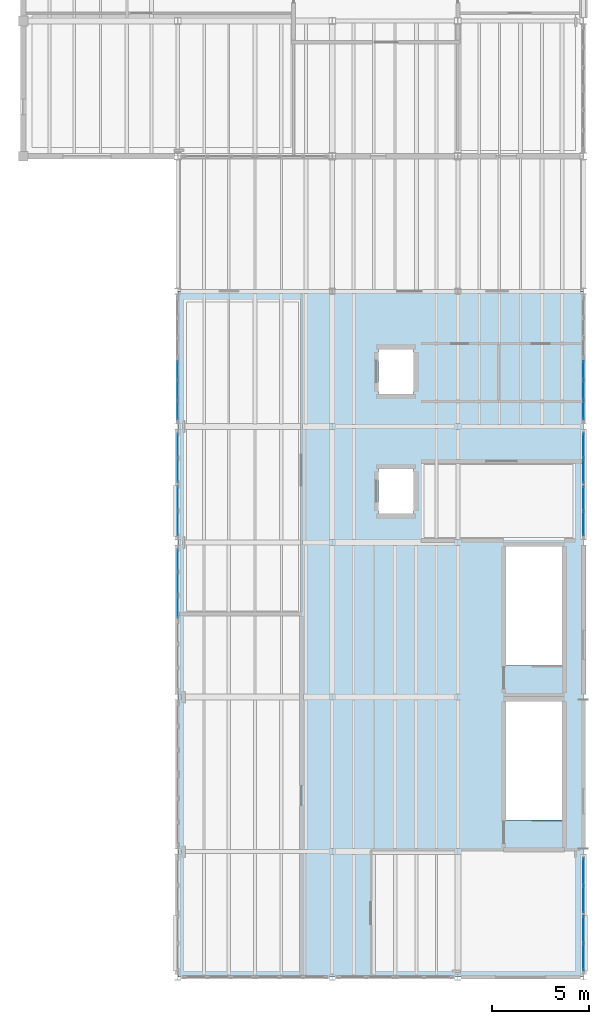
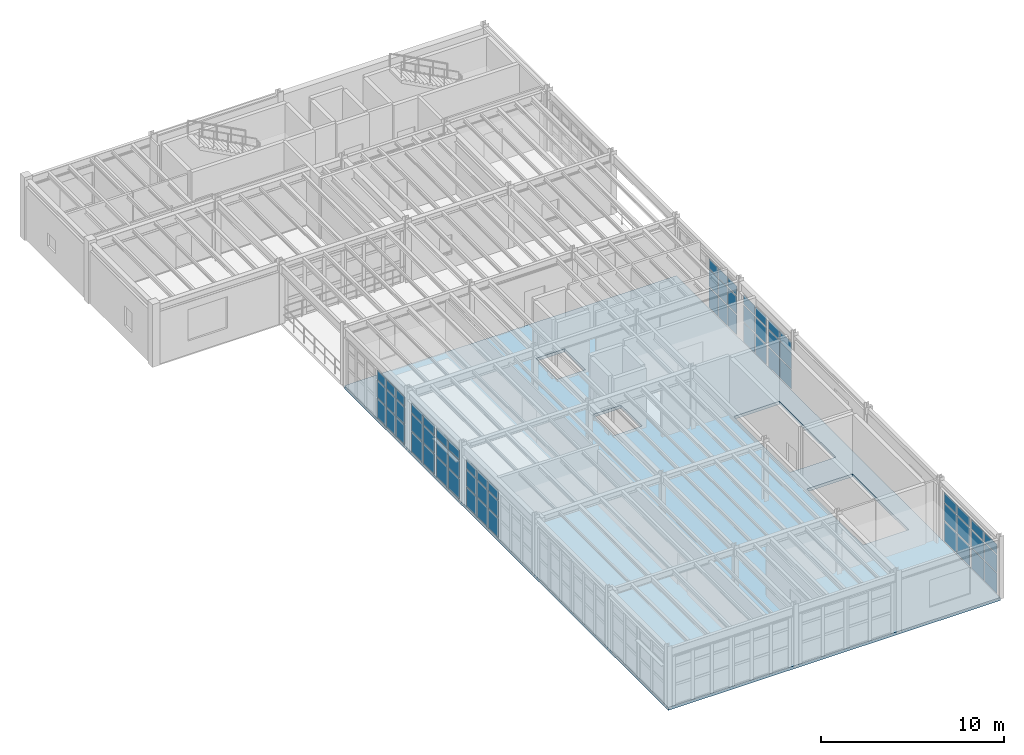
# One storey, part 20 of 27: 63 plates, 1 slab, 9 elements without a shape of their own.
"""IFC4 building model written with IfcOpenShell, lengths in metres."""

from ifc_helpers import new_model, si_unit, direction, frame, origin, origin_2d, place, context, subcontext, project, spatial, polyline, rectangle, outline, extrude, material, layer, layer_set, type_object, element, aggregate, save


model = new_model("IFC4")

# Units and contexts
model_context = context("Model", 3, precision=1e-05, world=origin(), true_north=direction((0.0, 1.0)))
body_context = subcontext(model_context, "Body", "Model", "MODEL_VIEW")
ifc_project = project(units=[si_unit("LENGTHUNIT", "METRE"), si_unit("AREAUNIT", "SQUARE_METRE"), si_unit("VOLUMEUNIT", "CUBIC_METRE"), si_unit("PLANEANGLEUNIT", "RADIAN"), si_unit("MASSUNIT", "GRAM", prefix="KILO"), si_unit("THERMODYNAMICTEMPERATUREUNIT", "KELVIN"), si_unit("POWERUNIT", "WATT")], contexts=[model_context])

# Site, building, storey
site_placement = place(None, origin())
site = spatial("IfcSite", under=ifc_project, at=site_placement, CompositionType="ELEMENT")
building_placement = place(site_placement, origin())
building = spatial("IfcBuilding", under=site, at=building_placement, Name="Zhenchuan Central Fire Station", CompositionType="ELEMENT")
storey_placement = place(building_placement, frame((0.0, 0.0, 14.25)))
storey = spatial("IfcBuildingStorey", under=building, at=storey_placement, Name="L04", CompositionType="ELEMENT", Elevation=14.25)

# Curtain wall, plates
ifc_material_1 = material(Name="Anodised aluminium and low-E glazing", Category="aluminium")
curtain_wall_type_1 = type_object("IfcCurtainWallType", Name="CW-MOD-04", PredefinedType="USERDEFINED", material=ifc_material_1)
curtain_wall_1_placement = place(storey_placement, origin())
curtain_wall_1 = element("IfcCurtainWall", 1, at=curtain_wall_1_placement, inside=storey, type_object=curtain_wall_type_1, Name="L04 Unitised Curtain Wall 126", ObjectType="UNITISED GLAZING", PredefinedType="USERDEFINED")
ifc_material_2 = material(Name="Laminated low-E double glazing", Category="glass")
ifc_layer_1 = layer(ifc_material_2, 0.011962890625, Name="Laminated low-E double glazing", Category="glass")
ifc_layer_set_1 = layer_set([ifc_layer_1], Name="Laminated low-E double glazing")
plate_type = type_object("IfcPlateType", Name="CW-PNL12", PredefinedType="CURTAIN_PANEL", material=ifc_layer_set_1)
plate_1_placement = place(storey_placement, frame((161.0, 1.044189453125, 0.06103515625), z_axis=(0.0, 0.0, 1.0), x_axis=(0.0, 1.0, 0.0)))
plate_1 = element("IfcPlate", 2, at=plate_1_placement, type_object=plate_type, Name="CW-04 panel 1.1", PredefinedType="CURTAIN_PANEL", context=body_context, shape_type="SweptSolid", body=[
    extrude(rectangle(XDim=1.3583984375, YDim=0.011962890625, at=origin_2d()), origin(), (0.0, 0.0, 1.0), 1.33447265625),
])
plate_2_placement = place(storey_placement, frame((161.0, 1.044189453125, 1.46044921875), z_axis=(0.0, 0.0, 1.0), x_axis=(0.0, 1.0, 0.0)))
plate_2 = element("IfcPlate", 3, at=plate_2_placement, type_object=plate_type, Name="CW-04 panel 1.2", PredefinedType="CURTAIN_PANEL", context=body_context, shape_type="SweptSolid", body=[
    extrude(rectangle(XDim=1.3583984375, YDim=0.011962890625, at=origin_2d()), origin(), (0.0, 0.0, 1.0), 1.158935546875),
])
plate_3_placement = place(storey_placement, frame((161.0, 1.044189453125, 2.6845703125), z_axis=(0.0, 0.0, 1.0), x_axis=(0.0, 1.0, 0.0)))
plate_3 = element("IfcPlate", 4, at=plate_3_placement, type_object=plate_type, Name="CW-04 panel 1.3", PredefinedType="CURTAIN_PANEL", context=body_context, shape_type="SweptSolid", body=[
    extrude(rectangle(XDim=1.3583984375, YDim=0.011962890625, at=origin_2d()), origin(), (0.0, 0.0, 1.0), 0.650390625),
])
plate_4_placement = place(storey_placement, frame((161.0, 2.4677734375, 0.06103515625), z_axis=(0.0, 0.0, 1.0), x_axis=(0.0, 1.0, 0.0)))
plate_4 = element("IfcPlate", 5, at=plate_4_placement, type_object=plate_type, Name="CW-04 panel 2.1", PredefinedType="CURTAIN_PANEL", context=body_context, shape_type="SweptSolid", body=[
    extrude(rectangle(XDim=1.3583984375, YDim=0.011962890625, at=origin_2d()), origin(), (0.0, 0.0, 1.0), 1.33447265625),
])
plate_5_placement = place(storey_placement, frame((161.0, 2.4677734375, 1.46044921875), z_axis=(0.0, 0.0, 1.0), x_axis=(0.0, 1.0, 0.0)))
plate_5 = element("IfcPlate", 6, at=plate_5_placement, type_object=plate_type, Name="CW-04 panel 2.2", PredefinedType="CURTAIN_PANEL", context=body_context, shape_type="SweptSolid", body=[
    extrude(rectangle(XDim=1.3583984375, YDim=0.011962890625, at=origin_2d()), origin(), (0.0, 0.0, 1.0), 1.158935546875),
])
plate_6_placement = place(storey_placement, frame((161.0, 2.4677734375, 2.6845703125), z_axis=(0.0, 0.0, 1.0), x_axis=(0.0, 1.0, 0.0)))
plate_6 = element("IfcPlate", 7, at=plate_6_placement, type_object=plate_type, Name="CW-04 panel 2.3", PredefinedType="CURTAIN_PANEL", context=body_context, shape_type="SweptSolid", body=[
    extrude(rectangle(XDim=1.3583984375, YDim=0.011962890625, at=origin_2d()), origin(), (0.0, 0.0, 1.0), 0.650390625),
])
aggregate(curtain_wall_1, [plate_1, plate_2, plate_3, plate_4, plate_5, plate_6])

curtain_wall_type_2 = type_object("IfcCurtainWallType", Name="CW-MOD-05", PredefinedType="USERDEFINED", material=ifc_material_1)
curtain_wall_2_placement = place(storey_placement, origin())
curtain_wall_2 = element("IfcCurtainWall", 8, at=curtain_wall_2_placement, inside=storey, type_object=curtain_wall_type_2, Name="L04 Unitised Curtain Wall 127", ObjectType="UNITISED GLAZING", PredefinedType="USERDEFINED")
plate_7_placement = place(storey_placement, frame((161.0, 4.0322265625, 0.06103515625), z_axis=(0.0, 0.0, 1.0), x_axis=(0.0, 1.0, 0.0)))
plate_7 = element("IfcPlate", 9, at=plate_7_placement, type_object=plate_type, Name="CW-05 panel 1.1", PredefinedType="CURTAIN_PANEL", context=body_context, shape_type="SweptSolid", body=[
    extrude(rectangle(XDim=1.3583984375, YDim=0.011962890625, at=origin_2d()), origin(), (0.0, 0.0, 1.0), 1.33447265625),
])
plate_8_placement = place(storey_placement, frame((161.0, 4.0322265625, 1.46044921875), z_axis=(0.0, 0.0, 1.0), x_axis=(0.0, 1.0, 0.0)))
plate_8 = element("IfcPlate", 10, at=plate_8_placement, type_object=plate_type, Name="CW-05 panel 1.2", PredefinedType="CURTAIN_PANEL", context=body_context, shape_type="SweptSolid", body=[
    extrude(rectangle(XDim=1.3583984375, YDim=0.011962890625, at=origin_2d()), origin(), (0.0, 0.0, 1.0), 1.158935546875),
])
plate_9_placement = place(storey_placement, frame((161.0, 4.0322265625, 2.6845703125), z_axis=(0.0, 0.0, 1.0), x_axis=(0.0, 1.0, 0.0)))
plate_9 = element("IfcPlate", 11, at=plate_9_placement, type_object=plate_type, Name="CW-05 panel 1.3", PredefinedType="CURTAIN_PANEL", context=body_context, shape_type="SweptSolid", body=[
    extrude(rectangle(XDim=1.3583984375, YDim=0.011962890625, at=origin_2d()), origin(), (0.0, 0.0, 1.0), 0.650390625),
])
plate_10_placement = place(storey_placement, frame((161.0, 5.455810546875, 0.06103515625), z_axis=(0.0, 0.0, 1.0), x_axis=(0.0, 1.0, 0.0)))
plate_10 = element("IfcPlate", 12, at=plate_10_placement, type_object=plate_type, Name="CW-05 panel 2.1", PredefinedType="CURTAIN_PANEL", context=body_context, shape_type="SweptSolid", body=[
    extrude(rectangle(XDim=1.3583984375, YDim=0.011962890625, at=origin_2d()), origin(), (0.0, 0.0, 1.0), 1.33447265625),
])
plate_11_placement = place(storey_placement, frame((161.0, 5.455810546875, 1.46044921875), z_axis=(0.0, 0.0, 1.0), x_axis=(0.0, 1.0, 0.0)))
plate_11 = element("IfcPlate", 13, at=plate_11_placement, type_object=plate_type, Name="CW-05 panel 2.2", PredefinedType="CURTAIN_PANEL", context=body_context, shape_type="SweptSolid", body=[
    extrude(rectangle(XDim=1.3583984375, YDim=0.011962890625, at=origin_2d()), origin(), (0.0, 0.0, 1.0), 1.158935546875),
])
plate_12_placement = place(storey_placement, frame((161.0, 5.455810546875, 2.6845703125), z_axis=(0.0, 0.0, 1.0), x_axis=(0.0, 1.0, 0.0)))
plate_12 = element("IfcPlate", 14, at=plate_12_placement, type_object=plate_type, Name="CW-05 panel 2.3", PredefinedType="CURTAIN_PANEL", context=body_context, shape_type="SweptSolid", body=[
    extrude(rectangle(XDim=1.3583984375, YDim=0.011962890625, at=origin_2d()), origin(), (0.0, 0.0, 1.0), 0.650390625),
])
aggregate(curtain_wall_2, [plate_7, plate_8, plate_9, plate_10, plate_11, plate_12])

curtain_wall_type_3 = type_object("IfcCurtainWallType", Name="CW-MOD-10", PredefinedType="USERDEFINED", material=ifc_material_1)
curtain_wall_3_placement = place(storey_placement, origin())
curtain_wall_3 = element("IfcCurtainWall", 15, at=curtain_wall_3_placement, inside=storey, type_object=curtain_wall_type_3, Name="L04 Unitised Curtain Wall 128", ObjectType="UNITISED GLAZING", PredefinedType="USERDEFINED")
plate_13_placement = place(storey_placement, frame((161.0, 23.481689453125, 0.06103515625), z_axis=(0.0, 0.0, 1.0), x_axis=(0.0, 1.0, 0.0)))
plate_13 = element("IfcPlate", 16, at=plate_13_placement, type_object=plate_type, Name="CW-10 panel 1.1", PredefinedType="CURTAIN_PANEL", context=body_context, shape_type="SweptSolid", body=[
    extrude(rectangle(XDim=1.2333984375, YDim=0.011962890625, at=origin_2d()), origin(), (0.0, 0.0, 1.0), 1.281494140625),
])
plate_14_placement = place(storey_placement, frame((161.0, 23.481689453125, 1.40771484375), z_axis=(0.0, 0.0, 1.0), x_axis=(0.0, 1.0, 0.0)))
plate_14 = element("IfcPlate", 17, at=plate_14_placement, type_object=plate_type, Name="CW-10 panel 1.2", PredefinedType="CURTAIN_PANEL", context=body_context, shape_type="SweptSolid", body=[
    extrude(rectangle(XDim=1.2333984375, YDim=0.011962890625, at=origin_2d()), origin(), (0.0, 0.0, 1.0), 1.113525390625),
])
plate_15_placement = place(storey_placement, frame((161.0, 23.481689453125, 2.58642578125), z_axis=(0.0, 0.0, 1.0), x_axis=(0.0, 1.0, 0.0)))
plate_15 = element("IfcPlate", 18, at=plate_15_placement, type_object=plate_type, Name="CW-10 panel 1.3", PredefinedType="CURTAIN_PANEL", context=body_context, shape_type="SweptSolid", body=[
    extrude(rectangle(XDim=1.2333984375, YDim=0.011962890625, at=origin_2d()), origin(), (0.0, 0.0, 1.0), 0.622802734375),
])
plate_16_placement = place(storey_placement, frame((161.0, 24.7802734375, 0.06103515625), z_axis=(0.0, 0.0, 1.0), x_axis=(0.0, 1.0, 0.0)))
plate_16 = element("IfcPlate", 19, at=plate_16_placement, type_object=plate_type, Name="CW-10 panel 2.1", PredefinedType="CURTAIN_PANEL", context=body_context, shape_type="SweptSolid", body=[
    extrude(rectangle(XDim=1.2333984375, YDim=0.011962890625, at=origin_2d()), origin(), (0.0, 0.0, 1.0), 1.281494140625),
])
plate_17_placement = place(storey_placement, frame((161.0, 24.7802734375, 1.40771484375), z_axis=(0.0, 0.0, 1.0), x_axis=(0.0, 1.0, 0.0)))
plate_17 = element("IfcPlate", 20, at=plate_17_placement, type_object=plate_type, Name="CW-10 panel 2.2", PredefinedType="CURTAIN_PANEL", context=body_context, shape_type="SweptSolid", body=[
    extrude(rectangle(XDim=1.2333984375, YDim=0.011962890625, at=origin_2d()), origin(), (0.0, 0.0, 1.0), 1.113525390625),
])
plate_18_placement = place(storey_placement, frame((161.0, 24.7802734375, 2.58642578125), z_axis=(0.0, 0.0, 1.0), x_axis=(0.0, 1.0, 0.0)))
plate_18 = element("IfcPlate", 21, at=plate_18_placement, type_object=plate_type, Name="CW-10 panel 2.3", PredefinedType="CURTAIN_PANEL", context=body_context, shape_type="SweptSolid", body=[
    extrude(rectangle(XDim=1.2333984375, YDim=0.011962890625, at=origin_2d()), origin(), (0.0, 0.0, 1.0), 0.622802734375),
])
aggregate(curtain_wall_3, [plate_13, plate_14, plate_15, plate_16, plate_17, plate_18])

curtain_wall_type_4 = type_object("IfcCurtainWallType", Name="CW-MOD-11", PredefinedType="USERDEFINED", material=ifc_material_1)
curtain_wall_4_placement = place(storey_placement, origin())
curtain_wall_4 = element("IfcCurtainWall", 22, at=curtain_wall_4_placement, inside=storey, type_object=curtain_wall_type_4, Name="L04 Unitised Curtain Wall 129", ObjectType="UNITISED GLAZING", PredefinedType="USERDEFINED")
plate_19_placement = place(storey_placement, frame((161.0, 26.2197265625, 0.06103515625), z_axis=(0.0, 0.0, 1.0), x_axis=(0.0, 1.0, 0.0)))
plate_19 = element("IfcPlate", 23, at=plate_19_placement, type_object=plate_type, Name="CW-11 panel 1.1", PredefinedType="CURTAIN_PANEL", context=body_context, shape_type="SweptSolid", body=[
    extrude(rectangle(XDim=1.2333984375, YDim=0.011962890625, at=origin_2d()), origin(), (0.0, 0.0, 1.0), 1.281494140625),
])
plate_20_placement = place(storey_placement, frame((161.0, 26.2197265625, 1.40771484375), z_axis=(0.0, 0.0, 1.0), x_axis=(0.0, 1.0, 0.0)))
plate_20 = element("IfcPlate", 24, at=plate_20_placement, type_object=plate_type, Name="CW-11 panel 1.2", PredefinedType="CURTAIN_PANEL", context=body_context, shape_type="SweptSolid", body=[
    extrude(rectangle(XDim=1.2333984375, YDim=0.011962890625, at=origin_2d()), origin(), (0.0, 0.0, 1.0), 1.113525390625),
])
plate_21_placement = place(storey_placement, frame((161.0, 26.2197265625, 2.58642578125), z_axis=(0.0, 0.0, 1.0), x_axis=(0.0, 1.0, 0.0)))
plate_21 = element("IfcPlate", 25, at=plate_21_placement, type_object=plate_type, Name="CW-11 panel 1.3", PredefinedType="CURTAIN_PANEL", context=body_context, shape_type="SweptSolid", body=[
    extrude(rectangle(XDim=1.2333984375, YDim=0.011962890625, at=origin_2d()), origin(), (0.0, 0.0, 1.0), 0.622802734375),
])
plate_22_placement = place(storey_placement, frame((161.0, 27.518310546875, 0.06103515625), z_axis=(0.0, 0.0, 1.0), x_axis=(0.0, 1.0, 0.0)))
plate_22 = element("IfcPlate", 26, at=plate_22_placement, type_object=plate_type, Name="CW-11 panel 2.1", PredefinedType="CURTAIN_PANEL", context=body_context, shape_type="SweptSolid", body=[
    extrude(rectangle(XDim=1.2333984375, YDim=0.011962890625, at=origin_2d()), origin(), (0.0, 0.0, 1.0), 1.281494140625),
])
plate_23_placement = place(storey_placement, frame((161.0, 27.518310546875, 1.40771484375), z_axis=(0.0, 0.0, 1.0), x_axis=(0.0, 1.0, 0.0)))
plate_23 = element("IfcPlate", 27, at=plate_23_placement, type_object=plate_type, Name="CW-11 panel 2.2", PredefinedType="CURTAIN_PANEL", context=body_context, shape_type="SweptSolid", body=[
    extrude(rectangle(XDim=1.2333984375, YDim=0.011962890625, at=origin_2d()), origin(), (0.0, 0.0, 1.0), 1.113525390625),
])
plate_24_placement = place(storey_placement, frame((161.0, 27.518310546875, 2.58642578125), z_axis=(0.0, 0.0, 1.0), x_axis=(0.0, 1.0, 0.0)))
plate_24 = element("IfcPlate", 28, at=plate_24_placement, type_object=plate_type, Name="CW-11 panel 2.3", PredefinedType="CURTAIN_PANEL", context=body_context, shape_type="SweptSolid", body=[
    extrude(rectangle(XDim=1.2333984375, YDim=0.011962890625, at=origin_2d()), origin(), (0.0, 0.0, 1.0), 0.622802734375),
])
aggregate(curtain_wall_4, [plate_19, plate_20, plate_21, plate_22, plate_23, plate_24])

curtain_wall_type_5 = type_object("IfcCurtainWallType", Name="CW-MOD-12", PredefinedType="USERDEFINED", material=ifc_material_1)
curtain_wall_5_placement = place(storey_placement, origin())
curtain_wall_5 = element("IfcCurtainWall", 29, at=curtain_wall_5_placement, inside=storey, type_object=curtain_wall_type_5, Name="L04 Unitised Curtain Wall 130", ObjectType="UNITISED GLAZING", PredefinedType="USERDEFINED")
plate_25_placement = place(storey_placement, frame((161.0, 29.345703125, 0.07080078125), z_axis=(0.0, 0.0, 1.0), x_axis=(0.0, 1.0, 0.0)))
plate_25 = element("IfcPlate", 30, at=plate_25_placement, type_object=plate_type, Name="CW-12 panel 1.1", PredefinedType="CURTAIN_PANEL", context=body_context, shape_type="SweptSolid", body=[
    extrude(rectangle(XDim=0.94140625, YDim=0.011962890625, at=origin_2d()), origin(), (0.0, 0.0, 1.0), 1.319580078125),
])
plate_26_placement = place(storey_placement, frame((161.0, 29.345703125, 1.465576171875), z_axis=(0.0, 0.0, 1.0), x_axis=(0.0, 1.0, 0.0)))
plate_26 = element("IfcPlate", 31, at=plate_26_placement, type_object=plate_type, Name="CW-12 panel 1.2", PredefinedType="CURTAIN_PANEL", context=body_context, shape_type="SweptSolid", body=[
    extrude(rectangle(XDim=0.94140625, YDim=0.011962890625, at=origin_2d()), origin(), (0.0, 0.0, 1.0), 1.14892578125),
])
plate_27_placement = place(storey_placement, frame((161.0, 29.345703125, 2.689453125), z_axis=(0.0, 0.0, 1.0), x_axis=(0.0, 1.0, 0.0)))
plate_27 = element("IfcPlate", 32, at=plate_27_placement, type_object=plate_type, Name="CW-12 panel 1.3", PredefinedType="CURTAIN_PANEL", context=body_context, shape_type="SweptSolid", body=[
    extrude(rectangle(XDim=0.94140625, YDim=0.011962890625, at=origin_2d()), origin(), (0.0, 0.0, 1.0), 0.635498046875),
])
plate_28_placement = place(storey_placement, frame((161.0, 30.381103515625, 0.07080078125), z_axis=(0.0, 0.0, 1.0), x_axis=(0.0, 1.0, 0.0)))
plate_28 = element("IfcPlate", 33, at=plate_28_placement, type_object=plate_type, Name="CW-12 panel 2.1", PredefinedType="CURTAIN_PANEL", context=body_context, shape_type="SweptSolid", body=[
    extrude(rectangle(XDim=0.97900390625, YDim=0.011962890625, at=origin_2d()), origin(), (0.0, 0.0, 1.0), 1.319580078125),
])
plate_29_placement = place(storey_placement, frame((161.0, 30.381103515625, 1.465576171875), z_axis=(0.0, 0.0, 1.0), x_axis=(0.0, 1.0, 0.0)))
plate_29 = element("IfcPlate", 34, at=plate_29_placement, type_object=plate_type, Name="CW-12 panel 2.2", PredefinedType="CURTAIN_PANEL", context=body_context, shape_type="SweptSolid", body=[
    extrude(rectangle(XDim=0.97900390625, YDim=0.011962890625, at=origin_2d()), origin(), (0.0, 0.0, 1.0), 1.14892578125),
])
plate_30_placement = place(storey_placement, frame((161.0, 30.381103515625, 2.689453125), z_axis=(0.0, 0.0, 1.0), x_axis=(0.0, 1.0, 0.0)))
plate_30 = element("IfcPlate", 35, at=plate_30_placement, type_object=plate_type, Name="CW-12 panel 2.3", PredefinedType="CURTAIN_PANEL", context=body_context, shape_type="SweptSolid", body=[
    extrude(rectangle(XDim=0.97900390625, YDim=0.011962890625, at=origin_2d()), origin(), (0.0, 0.0, 1.0), 0.635498046875),
])
plate_31_placement = place(storey_placement, frame((161.0, 31.416259765625, 0.07080078125), z_axis=(0.0, 0.0, 1.0), x_axis=(0.0, 1.0, 0.0)))
plate_31 = element("IfcPlate", 36, at=plate_31_placement, type_object=plate_type, Name="CW-12 panel 3.1", PredefinedType="CURTAIN_PANEL", context=body_context, shape_type="SweptSolid", body=[
    extrude(rectangle(XDim=0.94140625, YDim=0.011962890625, at=origin_2d()), origin(), (0.0, 0.0, 1.0), 1.319580078125),
])
plate_32_placement = place(storey_placement, frame((161.0, 31.416259765625, 1.465576171875), z_axis=(0.0, 0.0, 1.0), x_axis=(0.0, 1.0, 0.0)))
plate_32 = element("IfcPlate", 37, at=plate_32_placement, type_object=plate_type, Name="CW-12 panel 3.2", PredefinedType="CURTAIN_PANEL", context=body_context, shape_type="SweptSolid", body=[
    extrude(rectangle(XDim=0.94140625, YDim=0.011962890625, at=origin_2d()), origin(), (0.0, 0.0, 1.0), 1.14892578125),
])
plate_33_placement = place(storey_placement, frame((161.0, 31.416259765625, 2.689453125), z_axis=(0.0, 0.0, 1.0), x_axis=(0.0, 1.0, 0.0)))
plate_33 = element("IfcPlate", 38, at=plate_33_placement, type_object=plate_type, Name="CW-12 panel 3.3", PredefinedType="CURTAIN_PANEL", context=body_context, shape_type="SweptSolid", body=[
    extrude(rectangle(XDim=0.94140625, YDim=0.011962890625, at=origin_2d()), origin(), (0.0, 0.0, 1.0), 0.635498046875),
])
aggregate(curtain_wall_5, [plate_25, plate_26, plate_27, plate_28, plate_29, plate_30, plate_31, plate_32, plate_33])

curtain_wall_type_6 = type_object("IfcCurtainWallType", Name="CW-MOD-15", PredefinedType="USERDEFINED", material=ifc_material_1)
curtain_wall_6_placement = place(storey_placement, origin())
curtain_wall_6 = element("IfcCurtainWall", 39, at=curtain_wall_6_placement, inside=storey, type_object=curtain_wall_type_6, Name="L04 Unitised Curtain Wall 137", ObjectType="UNITISED GLAZING", PredefinedType="USERDEFINED")
plate_34_placement = place(storey_placement, frame((140.0, 19.1669921875, 0.071044921875), z_axis=(0.0, 0.0, 1.0), x_axis=(0.0, 1.0, 0.0)))
plate_34 = element("IfcPlate", 40, at=plate_34_placement, type_object=plate_type, Name="CW-15 panel 1.1", PredefinedType="CURTAIN_PANEL", context=body_context, shape_type="SweptSolid", body=[
    extrude(rectangle(XDim=1.108154296875, YDim=0.011962890625, at=origin_2d()), origin(), (0.0, 0.0, 1.0), 1.2666015625),
])
plate_35_placement = place(storey_placement, frame((140.0, 19.1669921875, 1.41259765625), z_axis=(0.0, 0.0, 1.0), x_axis=(0.0, 1.0, 0.0)))
plate_35 = element("IfcPlate", 41, at=plate_35_placement, type_object=plate_type, Name="CW-15 panel 1.2", PredefinedType="CURTAIN_PANEL", context=body_context, shape_type="SweptSolid", body=[
    extrude(rectangle(XDim=1.108154296875, YDim=0.011962890625, at=origin_2d()), origin(), (0.0, 0.0, 1.0), 1.103515625),
])
plate_36_placement = place(storey_placement, frame((140.0, 19.1669921875, 2.591064453125), z_axis=(0.0, 0.0, 1.0), x_axis=(0.0, 1.0, 0.0)))
plate_36 = element("IfcPlate", 42, at=plate_36_placement, type_object=plate_type, Name="CW-15 panel 1.3", PredefinedType="CURTAIN_PANEL", context=body_context, shape_type="SweptSolid", body=[
    extrude(rectangle(XDim=1.108154296875, YDim=0.011962890625, at=origin_2d()), origin(), (0.0, 0.0, 1.0), 0.60791015625),
])
plate_37_placement = place(storey_placement, frame((140.0, 20.368896484375, 0.071044921875), z_axis=(0.0, 0.0, 1.0), x_axis=(0.0, 1.0, 0.0)))
plate_37 = element("IfcPlate", 43, at=plate_37_placement, type_object=plate_type, Name="CW-15 panel 2.1", PredefinedType="CURTAIN_PANEL", context=body_context, shape_type="SweptSolid", body=[
    extrude(rectangle(XDim=1.145751953125, YDim=0.011962890625, at=origin_2d()), origin(), (0.0, 0.0, 1.0), 1.2666015625),
])
plate_38_placement = place(storey_placement, frame((140.0, 20.368896484375, 1.41259765625), z_axis=(0.0, 0.0, 1.0), x_axis=(0.0, 1.0, 0.0)))
plate_38 = element("IfcPlate", 44, at=plate_38_placement, type_object=plate_type, Name="CW-15 panel 2.2", PredefinedType="CURTAIN_PANEL", context=body_context, shape_type="SweptSolid", body=[
    extrude(rectangle(XDim=1.145751953125, YDim=0.011962890625, at=origin_2d()), origin(), (0.0, 0.0, 1.0), 1.103515625),
])
plate_39_placement = place(storey_placement, frame((140.0, 20.368896484375, 2.591064453125), z_axis=(0.0, 0.0, 1.0), x_axis=(0.0, 1.0, 0.0)))
plate_39 = element("IfcPlate", 45, at=plate_39_placement, type_object=plate_type, Name="CW-15 panel 2.3", PredefinedType="CURTAIN_PANEL", context=body_context, shape_type="SweptSolid", body=[
    extrude(rectangle(XDim=1.145751953125, YDim=0.011962890625, at=origin_2d()), origin(), (0.0, 0.0, 1.0), 0.60791015625),
])
plate_40_placement = place(storey_placement, frame((140.0, 21.57080078125, 0.071044921875), z_axis=(0.0, 0.0, 1.0), x_axis=(0.0, 1.0, 0.0)))
plate_40 = element("IfcPlate", 46, at=plate_40_placement, type_object=plate_type, Name="CW-15 panel 3.1", PredefinedType="CURTAIN_PANEL", context=body_context, shape_type="SweptSolid", body=[
    extrude(rectangle(XDim=1.108154296875, YDim=0.011962890625, at=origin_2d()), origin(), (0.0, 0.0, 1.0), 1.2666015625),
])
plate_41_placement = place(storey_placement, frame((140.0, 21.57080078125, 1.41259765625), z_axis=(0.0, 0.0, 1.0), x_axis=(0.0, 1.0, 0.0)))
plate_41 = element("IfcPlate", 47, at=plate_41_placement, type_object=plate_type, Name="CW-15 panel 3.2", PredefinedType="CURTAIN_PANEL", context=body_context, shape_type="SweptSolid", body=[
    extrude(rectangle(XDim=1.108154296875, YDim=0.011962890625, at=origin_2d()), origin(), (0.0, 0.0, 1.0), 1.103515625),
])
plate_42_placement = place(storey_placement, frame((140.0, 21.57080078125, 2.591064453125), z_axis=(0.0, 0.0, 1.0), x_axis=(0.0, 1.0, 0.0)))
plate_42 = element("IfcPlate", 48, at=plate_42_placement, type_object=plate_type, Name="CW-15 panel 3.3", PredefinedType="CURTAIN_PANEL", context=body_context, shape_type="SweptSolid", body=[
    extrude(rectangle(XDim=1.108154296875, YDim=0.011962890625, at=origin_2d()), origin(), (0.0, 0.0, 1.0), 0.60791015625),
])
aggregate(curtain_wall_6, [plate_34, plate_35, plate_36, plate_37, plate_38, plate_39, plate_40, plate_41, plate_42])

curtain_wall_7_placement = place(storey_placement, origin())
curtain_wall_7 = element("IfcCurtainWall", 49, at=curtain_wall_7_placement, inside=storey, type_object=curtain_wall_type_6, Name="L04 Unitised Curtain Wall 138", ObjectType="UNITISED GLAZING", PredefinedType="USERDEFINED")
plate_43_placement = place(storey_placement, frame((140.0, 23.484130859375, 0.07080078125), z_axis=(0.0, 0.0, 1.0), x_axis=(0.0, 1.0, 0.0)))
plate_43 = element("IfcPlate", 50, at=plate_43_placement, type_object=plate_type, Name="CW-15 panel 1.1", PredefinedType="CURTAIN_PANEL", context=body_context, shape_type="SweptSolid", body=[
    extrude(rectangle(XDim=1.218505859375, YDim=0.011962890625, at=origin_2d()), origin(), (0.0, 0.0, 1.0), 1.313720703125),
])
plate_44_placement = place(storey_placement, frame((140.0, 23.484130859375, 1.45947265625), z_axis=(0.0, 0.0, 1.0), x_axis=(0.0, 1.0, 0.0)))
plate_44 = element("IfcPlate", 51, at=plate_44_placement, type_object=plate_type, Name="CW-15 panel 1.2", PredefinedType="CURTAIN_PANEL", context=body_context, shape_type="SweptSolid", body=[
    extrude(rectangle(XDim=1.218505859375, YDim=0.011962890625, at=origin_2d()), origin(), (0.0, 0.0, 1.0), 1.14404296875),
])
plate_45_placement = place(storey_placement, frame((140.0, 23.484130859375, 2.6787109375), z_axis=(0.0, 0.0, 1.0), x_axis=(0.0, 1.0, 0.0)))
plate_45 = element("IfcPlate", 52, at=plate_45_placement, type_object=plate_type, Name="CW-15 panel 1.3", PredefinedType="CURTAIN_PANEL", context=body_context, shape_type="SweptSolid", body=[
    extrude(rectangle(XDim=1.218505859375, YDim=0.011962890625, at=origin_2d()), origin(), (0.0, 0.0, 1.0), 0.63232421875),
])
plate_46_placement = place(storey_placement, frame((140.0, 24.77783203125, 0.07080078125), z_axis=(0.0, 0.0, 1.0), x_axis=(0.0, 1.0, 0.0)))
plate_46 = element("IfcPlate", 53, at=plate_46_placement, type_object=plate_type, Name="CW-15 panel 2.1", PredefinedType="CURTAIN_PANEL", context=body_context, shape_type="SweptSolid", body=[
    extrude(rectangle(XDim=1.218505859375, YDim=0.011962890625, at=origin_2d()), origin(), (0.0, 0.0, 1.0), 1.313720703125),
])
plate_47_placement = place(storey_placement, frame((140.0, 24.77783203125, 1.45947265625), z_axis=(0.0, 0.0, 1.0), x_axis=(0.0, 1.0, 0.0)))
plate_47 = element("IfcPlate", 54, at=plate_47_placement, type_object=plate_type, Name="CW-15 panel 2.2", PredefinedType="CURTAIN_PANEL", context=body_context, shape_type="SweptSolid", body=[
    extrude(rectangle(XDim=1.218505859375, YDim=0.011962890625, at=origin_2d()), origin(), (0.0, 0.0, 1.0), 1.14404296875),
])
plate_48_placement = place(storey_placement, frame((140.0, 24.77783203125, 2.6787109375), z_axis=(0.0, 0.0, 1.0), x_axis=(0.0, 1.0, 0.0)))
plate_48 = element("IfcPlate", 55, at=plate_48_placement, type_object=plate_type, Name="CW-15 panel 2.3", PredefinedType="CURTAIN_PANEL", context=body_context, shape_type="SweptSolid", body=[
    extrude(rectangle(XDim=1.218505859375, YDim=0.011962890625, at=origin_2d()), origin(), (0.0, 0.0, 1.0), 0.63232421875),
])
aggregate(curtain_wall_7, [plate_43, plate_44, plate_45, plate_46, plate_47, plate_48])

curtain_wall_type_7 = type_object("IfcCurtainWallType", Name="CW-MOD-16", PredefinedType="USERDEFINED", material=ifc_material_1)
curtain_wall_8_placement = place(storey_placement, origin())
curtain_wall_8 = element("IfcCurtainWall", 56, at=curtain_wall_8_placement, inside=storey, type_object=curtain_wall_type_7, Name="L04 Unitised Curtain Wall 139", ObjectType="UNITISED GLAZING", PredefinedType="USERDEFINED")
plate_49_placement = place(storey_placement, frame((140.0, 26.22216796875, 0.07080078125), z_axis=(0.0, 0.0, 1.0), x_axis=(0.0, 1.0, 0.0)))
plate_49 = element("IfcPlate", 57, at=plate_49_placement, type_object=plate_type, Name="CW-16 panel 1.1", PredefinedType="CURTAIN_PANEL", context=body_context, shape_type="SweptSolid", body=[
    extrude(rectangle(XDim=1.218505859375, YDim=0.011962890625, at=origin_2d()), origin(), (0.0, 0.0, 1.0), 1.313720703125),
])
plate_50_placement = place(storey_placement, frame((140.0, 26.22216796875, 1.45947265625), z_axis=(0.0, 0.0, 1.0), x_axis=(0.0, 1.0, 0.0)))
plate_50 = element("IfcPlate", 58, at=plate_50_placement, type_object=plate_type, Name="CW-16 panel 1.2", PredefinedType="CURTAIN_PANEL", context=body_context, shape_type="SweptSolid", body=[
    extrude(rectangle(XDim=1.218505859375, YDim=0.011962890625, at=origin_2d()), origin(), (0.0, 0.0, 1.0), 1.14404296875),
])
plate_51_placement = place(storey_placement, frame((140.0, 26.22216796875, 2.6787109375), z_axis=(0.0, 0.0, 1.0), x_axis=(0.0, 1.0, 0.0)))
plate_51 = element("IfcPlate", 59, at=plate_51_placement, type_object=plate_type, Name="CW-16 panel 1.3", PredefinedType="CURTAIN_PANEL", context=body_context, shape_type="SweptSolid", body=[
    extrude(rectangle(XDim=1.218505859375, YDim=0.011962890625, at=origin_2d()), origin(), (0.0, 0.0, 1.0), 0.63232421875),
])
plate_52_placement = place(storey_placement, frame((140.0, 27.515869140625, 0.07080078125), z_axis=(0.0, 0.0, 1.0), x_axis=(0.0, 1.0, 0.0)))
plate_52 = element("IfcPlate", 60, at=plate_52_placement, type_object=plate_type, Name="CW-16 panel 2.1", PredefinedType="CURTAIN_PANEL", context=body_context, shape_type="SweptSolid", body=[
    extrude(rectangle(XDim=1.218505859375, YDim=0.011962890625, at=origin_2d()), origin(), (0.0, 0.0, 1.0), 1.313720703125),
])
plate_53_placement = place(storey_placement, frame((140.0, 27.515869140625, 1.45947265625), z_axis=(0.0, 0.0, 1.0), x_axis=(0.0, 1.0, 0.0)))
plate_53 = element("IfcPlate", 61, at=plate_53_placement, type_object=plate_type, Name="CW-16 panel 2.2", PredefinedType="CURTAIN_PANEL", context=body_context, shape_type="SweptSolid", body=[
    extrude(rectangle(XDim=1.218505859375, YDim=0.011962890625, at=origin_2d()), origin(), (0.0, 0.0, 1.0), 1.14404296875),
])
plate_54_placement = place(storey_placement, frame((140.0, 27.515869140625, 2.6787109375), z_axis=(0.0, 0.0, 1.0), x_axis=(0.0, 1.0, 0.0)))
plate_54 = element("IfcPlate", 62, at=plate_54_placement, type_object=plate_type, Name="CW-16 panel 2.3", PredefinedType="CURTAIN_PANEL", context=body_context, shape_type="SweptSolid", body=[
    extrude(rectangle(XDim=1.218505859375, YDim=0.011962890625, at=origin_2d()), origin(), (0.0, 0.0, 1.0), 0.63232421875),
])
aggregate(curtain_wall_8, [plate_49, plate_50, plate_51, plate_52, plate_53, plate_54])

curtain_wall_9_placement = place(storey_placement, origin())
curtain_wall_9 = element("IfcCurtainWall", 63, at=curtain_wall_9_placement, inside=storey, type_object=curtain_wall_type_7, Name="L04 Unitised Curtain Wall 140", ObjectType="UNITISED GLAZING", PredefinedType="USERDEFINED")
plate_55_placement = place(storey_placement, frame((140.0, 29.345703125, 0.071044921875), z_axis=(0.0, 0.0, 1.0), x_axis=(0.0, 1.0, 0.0)))
plate_55 = element("IfcPlate", 64, at=plate_55_placement, type_object=plate_type, Name="CW-16 panel 1.1", PredefinedType="CURTAIN_PANEL", context=body_context, shape_type="SweptSolid", body=[
    extrude(rectangle(XDim=0.94140625, YDim=0.011962890625, at=origin_2d()), origin(), (0.0, 0.0, 1.0), 1.28759765625),
])
plate_56_placement = place(storey_placement, frame((140.0, 29.345703125, 1.43359375), z_axis=(0.0, 0.0, 1.0), x_axis=(0.0, 1.0, 0.0)))
plate_56 = element("IfcPlate", 65, at=plate_56_placement, type_object=plate_type, Name="CW-16 panel 1.2", PredefinedType="CURTAIN_PANEL", context=body_context, shape_type="SweptSolid", body=[
    extrude(rectangle(XDim=0.94140625, YDim=0.011962890625, at=origin_2d()), origin(), (0.0, 0.0, 1.0), 1.12158203125),
])
plate_57_placement = place(storey_placement, frame((140.0, 29.345703125, 2.63037109375), z_axis=(0.0, 0.0, 1.0), x_axis=(0.0, 1.0, 0.0)))
plate_57 = element("IfcPlate", 66, at=plate_57_placement, type_object=plate_type, Name="CW-16 panel 1.3", PredefinedType="CURTAIN_PANEL", context=body_context, shape_type="SweptSolid", body=[
    extrude(rectangle(XDim=0.94140625, YDim=0.011962890625, at=origin_2d()), origin(), (0.0, 0.0, 1.0), 0.618896484375),
])
plate_58_placement = place(storey_placement, frame((140.0, 30.381103515625, 0.071044921875), z_axis=(0.0, 0.0, 1.0), x_axis=(0.0, 1.0, 0.0)))
plate_58 = element("IfcPlate", 67, at=plate_58_placement, type_object=plate_type, Name="CW-16 panel 2.1", PredefinedType="CURTAIN_PANEL", context=body_context, shape_type="SweptSolid", body=[
    extrude(rectangle(XDim=0.97900390625, YDim=0.011962890625, at=origin_2d()), origin(), (0.0, 0.0, 1.0), 1.28759765625),
])
plate_59_placement = place(storey_placement, frame((140.0, 30.381103515625, 1.43359375), z_axis=(0.0, 0.0, 1.0), x_axis=(0.0, 1.0, 0.0)))
plate_59 = element("IfcPlate", 68, at=plate_59_placement, type_object=plate_type, Name="CW-16 panel 2.2", PredefinedType="CURTAIN_PANEL", context=body_context, shape_type="SweptSolid", body=[
    extrude(rectangle(XDim=0.97900390625, YDim=0.011962890625, at=origin_2d()), origin(), (0.0, 0.0, 1.0), 1.12158203125),
])
plate_60_placement = place(storey_placement, frame((140.0, 30.381103515625, 2.63037109375), z_axis=(0.0, 0.0, 1.0), x_axis=(0.0, 1.0, 0.0)))
plate_60 = element("IfcPlate", 69, at=plate_60_placement, type_object=plate_type, Name="CW-16 panel 2.3", PredefinedType="CURTAIN_PANEL", context=body_context, shape_type="SweptSolid", body=[
    extrude(rectangle(XDim=0.97900390625, YDim=0.011962890625, at=origin_2d()), origin(), (0.0, 0.0, 1.0), 0.618896484375),
])
plate_61_placement = place(storey_placement, frame((140.0, 31.416259765625, 0.071044921875), z_axis=(0.0, 0.0, 1.0), x_axis=(0.0, 1.0, 0.0)))
plate_61 = element("IfcPlate", 70, at=plate_61_placement, type_object=plate_type, Name="CW-16 panel 3.1", PredefinedType="CURTAIN_PANEL", context=body_context, shape_type="SweptSolid", body=[
    extrude(rectangle(XDim=0.94140625, YDim=0.011962890625, at=origin_2d()), origin(), (0.0, 0.0, 1.0), 1.28759765625),
])
plate_62_placement = place(storey_placement, frame((140.0, 31.416259765625, 1.43359375), z_axis=(0.0, 0.0, 1.0), x_axis=(0.0, 1.0, 0.0)))
plate_62 = element("IfcPlate", 71, at=plate_62_placement, type_object=plate_type, Name="CW-16 panel 3.2", PredefinedType="CURTAIN_PANEL", context=body_context, shape_type="SweptSolid", body=[
    extrude(rectangle(XDim=0.94140625, YDim=0.011962890625, at=origin_2d()), origin(), (0.0, 0.0, 1.0), 1.12158203125),
])
plate_63_placement = place(storey_placement, frame((140.0, 31.416259765625, 2.63037109375), z_axis=(0.0, 0.0, 1.0), x_axis=(0.0, 1.0, 0.0)))
plate_63 = element("IfcPlate", 72, at=plate_63_placement, type_object=plate_type, Name="CW-16 panel 3.3", PredefinedType="CURTAIN_PANEL", context=body_context, shape_type="SweptSolid", body=[
    extrude(rectangle(XDim=0.94140625, YDim=0.011962890625, at=origin_2d()), origin(), (0.0, 0.0, 1.0), 0.618896484375),
])
aggregate(curtain_wall_9, [plate_55, plate_56, plate_57, plate_58, plate_59, plate_60, plate_61, plate_62, plate_63])

# Slab
ifc_material_3 = material(Name="Concrete C35/45", Category="concrete")
ifc_layer_2 = layer(ifc_material_3, 0.199951171875, Name="Concrete C35/45", Category="concrete")
ifc_layer_set_2 = layer_set([ifc_layer_2], Name="Concrete C35/45")
slab_type = type_object("IfcSlabType", Name="SL-FLR200", PredefinedType="FLOOR", material=ifc_layer_set_2)
slab_placement = place(storey_placement, frame((0.0, 0.0, -0.199951171875)))
element("IfcSlab", 73, at=slab_placement, inside=storey, type_object=slab_type, Name="L04 Incident Command Centre Floor Slab", PredefinedType="FLOOR", context=body_context, shape_type="SweptSolid", body=[
    extrude(outline(polyline([(140.0, 0.0), (161.0, 0.0), (161.0, 35.5), (140.0, 35.5), (140.0, 0.0)]), holes=[polyline([(159.89990234375, 8.12060546875), (159.89990234375, 14.280029296875), (157.0, 14.280029296875), (157.0, 8.12060546875), (159.89990234375, 8.12060546875)]), polyline([(159.89990234375, 16.12060546875), (159.89990234375, 22.280029296875), (157.0, 22.280029296875), (157.0, 16.12060546875), (159.89990234375, 16.12060546875)]), polyline([(150.39990234375, 24.0), (152.199951171875, 24.0), (152.199951171875, 26.300048828125), (150.39990234375, 26.300048828125), (150.39990234375, 24.0)]), polyline([(150.39990234375, 30.199951171875), (152.199951171875, 30.199951171875), (152.199951171875, 32.5), (150.39990234375, 32.5), (150.39990234375, 30.199951171875)])]), origin(), (0.0, 0.0, 1.0), 0.199951171875),
])

save(model, "model.ifc")
